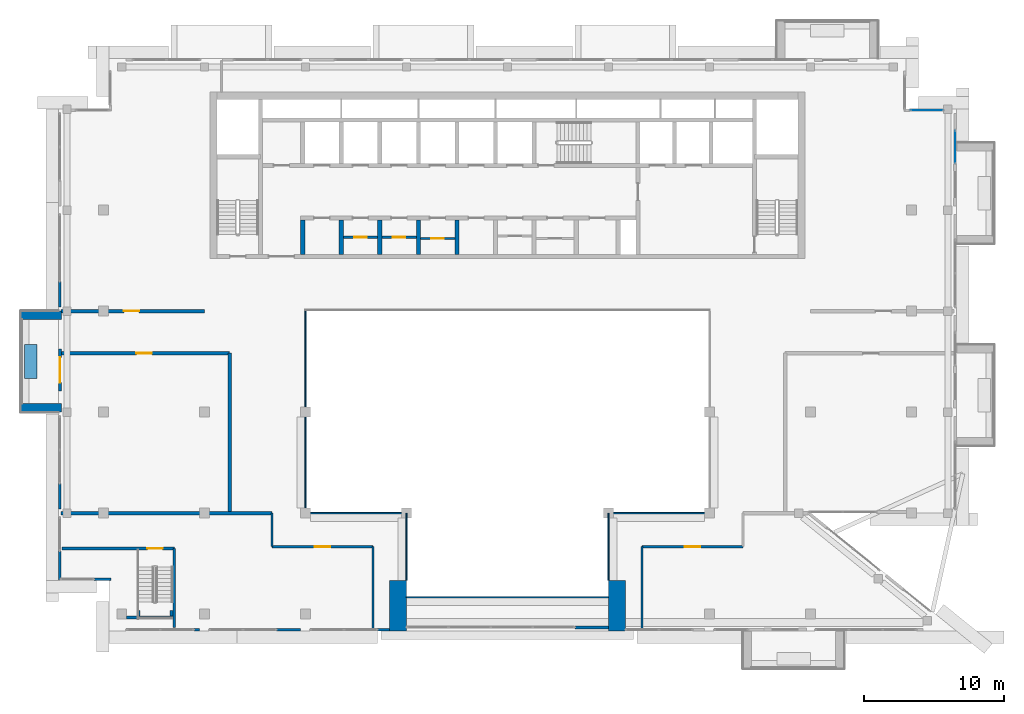
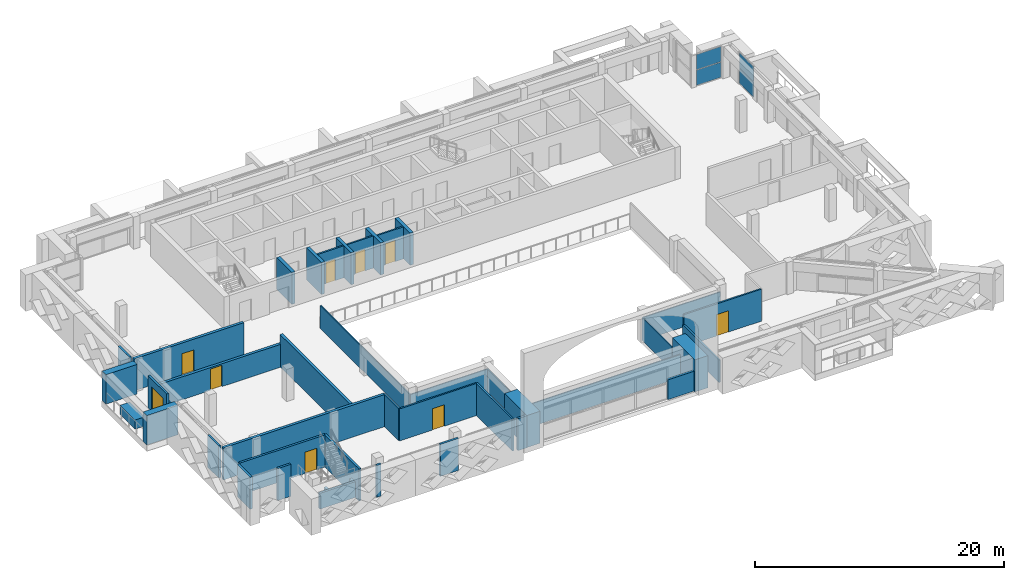
# One storey, part 12 of 22: 42 walls, 9 doors, 4 plates, 9 openings, 2 elements without a shape of their own.
"""IFC4 building model written with IfcOpenShell, lengths in metres."""

from ifc_helpers import new_model, si_unit, direction, frame, frame_2d, origin, origin_2d, place, context, subcontext, project, spatial, rectangle, extrude, source, transform, mapped, material, layer, layer_set, type_object, element, fill, aggregate, save


model = new_model("IFC4")

# Units and contexts
model_context = context("Model", 3, precision=1e-05, world=origin(), true_north=direction((0.0, 1.0)))
body_context = subcontext(model_context, "Body", "Model", "MODEL_VIEW")
ifc_project = project(units=[si_unit("LENGTHUNIT", "METRE"), si_unit("AREAUNIT", "SQUARE_METRE"), si_unit("VOLUMEUNIT", "CUBIC_METRE"), si_unit("PLANEANGLEUNIT", "RADIAN"), si_unit("MASSUNIT", "GRAM", prefix="KILO")], contexts=[model_context])

# Site, building, storey
site_placement = place(None, origin())
site = spatial("IfcSite", under=ifc_project, at=site_placement, CompositionType="ELEMENT")
building_placement = place(site_placement, origin())
building = spatial("IfcBuilding", under=site, at=building_placement, Name="Saffron Iwan Residences", CompositionType="ELEMENT")
storey_placement = place(building_placement, frame((0.0, 0.0, 271.0)))
storey = spatial("IfcBuildingStorey", under=building, at=storey_placement, Name="L73", CompositionType="ELEMENT", Elevation=271.0)

# Curtain wall, plates
ifc_material_1 = material(Name="Clear glass, laminated double glazed", Category="glass")
ifc_layer_1 = layer(ifc_material_1, 0.14990234375)
ifc_layer_set_1 = layer_set([ifc_layer_1], Name="Clear glass, laminated double glazed")
curtain_wall_type = type_object("IfcCurtainWallType", Name="CW-E SKY CLUB GLAZING", PredefinedType="NOTDEFINED", material=ifc_layer_set_1)
curtain_wall_1_placement = place(storey_placement, origin())
curtain_wall_1 = element("IfcCurtainWall", 1, at=curtain_wall_1_placement, inside=storey, type_object=curtain_wall_type, Name="Glazing L73 F2.3", PredefinedType="NOTDEFINED")
ifc_layer_2 = layer(ifc_material_1, 0.028076171875)
ifc_layer_set_2 = layer_set([ifc_layer_2], Name="Clear glass, laminated double glazed")
plate_type = type_object("IfcPlateType", Name="CW-E PANEL 28", PredefinedType="CURTAIN_PANEL", material=ifc_layer_set_2)
shared_shape = source(origin(), body_context, "Body", "SweptSolid", [
    extrude(rectangle(XDim=2.280029296875, YDim=0.028076171875, at=origin_2d()), origin(), (0.0, 0.0, 1.0), 1.485107421875),
])
plate_1_placement = place(storey_placement, frame((82.320068359375, 74.10009765625, 0.06005859375), z_axis=(0.0, 0.0, 1.0), x_axis=(0.0, 1.0, 0.0)))
plate_1 = element("IfcPlate", 2, at=plate_1_placement, type_object=plate_type, Name="CW-E panel 1.1", PredefinedType="CURTAIN_PANEL", context=body_context, shape_type="MappedRepresentation", body=[
    mapped(shared_shape, transform((0.0, 0.0, 0.0))),
])
plate_2_placement = place(storey_placement, frame((82.320068359375, 74.10009765625, 1.60498046875), z_axis=(0.0, 0.0, 1.0), x_axis=(0.0, 1.0, 0.0)))
plate_2 = element("IfcPlate", 3, at=plate_2_placement, type_object=plate_type, Name="CW-E panel 1.2", PredefinedType="CURTAIN_PANEL", context=body_context, shape_type="MappedRepresentation", body=[
    mapped(shared_shape, transform((0.0, 0.0, 0.0))),
])
aggregate(curtain_wall_1, [plate_1, plate_2])

curtain_wall_2_placement = place(storey_placement, origin())
curtain_wall_2 = element("IfcCurtainWall", 4, at=curtain_wall_2_placement, inside=storey, type_object=curtain_wall_type, Name="Glazing L73 F3.0", PredefinedType="NOTDEFINED")
plate_3_placement = place(storey_placement, frame((80.300048828125, 76.719970703125, 0.06005859375), z_axis=(0.0, 0.0, 1.0), x_axis=(-1.0, 0.0, 0.0)))
plate_3 = element("IfcPlate", 5, at=plate_3_placement, type_object=plate_type, Name="CW-E panel 1.1", PredefinedType="CURTAIN_PANEL", context=body_context, shape_type="MappedRepresentation", body=[
    mapped(shared_shape, transform((0.0, 0.0, 0.0))),
])
plate_4_placement = place(storey_placement, frame((80.300048828125, 76.719970703125, 1.60498046875), z_axis=(0.0, 0.0, 1.0), x_axis=(-1.0, 0.0, 0.0)))
plate_4 = element("IfcPlate", 6, at=plate_4_placement, type_object=plate_type, Name="CW-E panel 1.2", PredefinedType="CURTAIN_PANEL", context=body_context, shape_type="MappedRepresentation", body=[
    mapped(shared_shape, transform((0.0, 0.0, 0.0))),
])
aggregate(curtain_wall_2, [plate_3, plate_4])

# Walls
ifc_material_2 = material(Name="Concrete C50/60 white painted", Category="concrete")
ifc_layer_3 = layer(ifc_material_2, 0.60009765625)
ifc_layer_set_3 = layer_set([ifc_layer_3], Name="Concrete C50/60 white painted")
wall_type_1 = type_object("IfcWallType", Name="BALCONY FIN 600", PredefinedType="SOLIDWALL", material=ifc_layer_set_3)
for number, where, z_axis, x_axis, name in (
    (7, (18.60009765625, 62.10009765625, 0.0), (0.0, 0.0, 1.0), (-1.0, 0.0, 0.0), "Balcony fin L73 F8-0a"),
    (8, (18.60009765625, 55.5, 0.0), (0.0, 0.0, 1.0), (-1.0, 0.0, 0.0), "Balcony fin L73 F8-0b"),
):
    element("IfcWall", number, at=place(storey_placement, frame(where, z_axis=z_axis, x_axis=x_axis)), inside=storey, type_object=wall_type_1, Name=name, PredefinedType="SOLIDWALL", context=body_context, shape_type="SweptSolid", body=[
        extrude(rectangle(XDim=2.900146484375, YDim=0.60009765625, at=frame_2d((1.4501953125, 0.0))), origin(), (0.0, 0.0, 1.0), 2.90087890625),
    ])
ifc_material_3 = material(Name="Concrete C35/45 white painted", Category="concrete")
ifc_layer_4 = layer(ifc_material_3, 0.14990234375)
ifc_layer_set_4 = layer_set([ifc_layer_4], Name="Concrete C35/45 white painted")
wall_type_2 = type_object("IfcWallType", Name="BALCONY PLANTER", PredefinedType="SOLIDWALL", material=ifc_layer_set_4)
wall_1_placement = place(storey_placement, frame((16.425048828125, 60.0, 0.0), z_axis=(0.0, 0.0, 1.0), x_axis=(0.0, -1.0, 0.0)))
element("IfcWall", 9, at=wall_1_placement, inside=storey, type_object=wall_type_2, Name="PLANTER L73 F8-0", PredefinedType="SOLIDWALL", context=body_context, shape_type="SweptSolid", body=[
    extrude(rectangle(XDim=2.39990234375, YDim=0.89990234375, at=frame_2d((1.199951171875, 0.0))), origin(), (0.0, 0.0, 1.0), 0.89990234375),
])

# Wall, opening, door
ifc_material_4 = material(Name="Concrete blockwork", Category="masonry")
ifc_layer_5 = layer(ifc_material_4, 0.14990234375)
ifc_layer_set_5 = layer_set([ifc_layer_5], Name="Concrete blockwork")
wall_type_3 = type_object("IfcWallType", Name="Blockwork partition 150", PredefinedType="PARTITIONING", material=ifc_layer_set_5)
wall_2_placement = place(storey_placement, frame((33.60009765625, 45.60009765625, 0.0), z_axis=(0.0, 0.0, 1.0), x_axis=(1.0, 0.0, 0.0)))
wall_2 = element("IfcWall", 10, at=wall_2_placement, inside=storey, type_object=wall_type_3, Name="W-L73-003", PredefinedType="PARTITIONING", context=body_context, shape_type="SweptSolid", body=[
    extrude(rectangle(XDim=7.199951171875, YDim=0.14990234375, at=frame_2d((3.60009765625, 0.0))), origin(), (0.0, 0.0, 1.0), 3.14990234375),
])
opening_1_placement = place(wall_2_placement, frame((3.050048828125, 0.0, 0.0)))
opening_1 = element("IfcOpeningElement", 11, at=opening_1_placement, cuts=wall_2, Name="Opening L73.01", PredefinedType="OPENING", context=body_context, shape_type="SweptSolid", body=[
    extrude(rectangle(XDim=1.10009765625, YDim=2.10009765625, at=frame_2d((0.550048828125, 1.050048828125))), frame((0.0, 0.0849609375, 0.0), z_axis=(0.0, -1.0, 0.0), x_axis=(1.0, 0.0, 0.0)), (0.0, 0.0, 1.0), 0.169921875),
])
ifc_material_5 = material(Name="Timber", Category="wood")
door_type_1 = type_object("IfcDoorType", Name="Door 1100x2100", OperationType="NOTDEFINED", PredefinedType="DOOR", material=ifc_material_5)
door_1_placement = place(opening_1_placement, origin())
door_1 = element("IfcDoor", 12, at=door_1_placement, inside=storey, type_object=door_type_1, Name="D-L73-001", OperationType="SINGLE_SWING_RIGHT", OverallHeight=2.10009765625, OverallWidth=1.10009765625, PredefinedType="DOOR", context=body_context, shape_type="SweptSolid", body=[
    extrude(rectangle(XDim=1.10009765625, YDim=2.10009765625, at=frame_2d((0.550048828125, 1.050048828125))), frame((0.0, 0.02490234375, 0.0), z_axis=(0.0, -1.0, 0.0), x_axis=(1.0, 0.0, 0.0)), (0.0, 0.0, 1.0), 0.050048828125),
])
fill(opening_1, door_1)

wall_3_placement = place(storey_placement, frame((60.0, 45.60009765625, 0.0), z_axis=(0.0, 0.0, 1.0), x_axis=(1.0, 0.0, 0.0)))
wall_3 = element("IfcWall", 13, at=wall_3_placement, inside=storey, type_object=wall_type_3, Name="W-L73-004", PredefinedType="PARTITIONING", context=body_context, shape_type="SweptSolid", body=[
    extrude(rectangle(XDim=7.199951171875, YDim=0.14990234375, at=frame_2d((3.60009765625, 0.0))), origin(), (0.0, 0.0, 1.0), 3.14990234375),
])
opening_2_placement = place(wall_3_placement, frame((3.050048828125, 0.0, 0.0)))
opening_2 = element("IfcOpeningElement", 14, at=opening_2_placement, cuts=wall_3, Name="Opening L73.04", PredefinedType="OPENING", context=body_context, shape_type="SweptSolid", body=[
    extrude(rectangle(XDim=1.10009765625, YDim=2.10009765625, at=frame_2d((0.550048828125, 1.050048828125))), frame((0.0, 0.0849609375, 0.0), z_axis=(0.0, -1.0, 0.0), x_axis=(1.0, 0.0, 0.0)), (0.0, 0.0, 1.0), 0.169921875),
])
door_2_placement = place(opening_2_placement, origin())
door_2 = element("IfcDoor", 15, at=door_2_placement, inside=storey, type_object=door_type_1, Name="D-L73-004", OperationType="SINGLE_SWING_RIGHT", OverallHeight=2.10009765625, OverallWidth=1.10009765625, PredefinedType="DOOR", context=body_context, shape_type="SweptSolid", body=[
    extrude(rectangle(XDim=1.10009765625, YDim=2.10009765625, at=frame_2d((0.550048828125, 1.050048828125))), frame((0.0, 0.02490234375, 0.0), z_axis=(0.0, -1.0, 0.0), x_axis=(1.0, 0.0, 0.0)), (0.0, 0.0, 1.0), 0.050048828125),
])
fill(opening_2, door_2)

# Walls
wall_4_placement = place(storey_placement, frame((33.60009765625, 45.60009765625, 0.0), z_axis=(0.0, 0.0, 1.0), x_axis=(0.0, 1.0, 0.0)))
element("IfcWall", 16, at=wall_4_placement, inside=storey, type_object=wall_type_3, Name="W-L73-016", PredefinedType="PARTITIONING", context=body_context, shape_type="SweptSolid", body=[
    extrude(rectangle(XDim=2.39990234375, YDim=0.14990234375, at=frame_2d((1.199951171875, 0.0))), origin(), (0.0, 0.0, 1.0), 3.14990234375),
])
wall_5_placement = place(storey_placement, frame((40.800048828125, 39.77001953125, 0.0), z_axis=(0.0, 0.0, 1.0), x_axis=(0.0, 1.0, 0.0)))
element("IfcWall", 17, at=wall_5_placement, inside=storey, type_object=wall_type_3, Name="W-L73-018", PredefinedType="PARTITIONING", context=body_context, shape_type="SweptSolid", body=[
    extrude(rectangle(XDim=5.830078125, YDim=0.14990234375, at=frame_2d((2.9150390625, 0.0))), origin(), (0.0, 0.0, 1.0), 3.14990234375),
])
wall_6_placement = place(storey_placement, frame((60.0, 39.77001953125, 0.0), z_axis=(0.0, 0.0, 1.0), x_axis=(0.0, 1.0, 0.0)))
element("IfcWall", 18, at=wall_6_placement, inside=storey, type_object=wall_type_3, Name="W-L73-021", PredefinedType="PARTITIONING", context=body_context, shape_type="SweptSolid", body=[
    extrude(rectangle(XDim=5.830078125, YDim=0.14990234375, at=frame_2d((2.9150390625, 0.0))), origin(), (0.0, 0.0, 1.0), 2.199951171875),
])

# Wall, opening, door
ifc_material_6 = material(Name="Fire-rated plasterboard partition")
ifc_layer_6 = layer(ifc_material_6, 0.14990234375)
ifc_layer_set_6 = layer_set([ifc_layer_6], Name="Fire-rated plasterboard partition")
wall_type_4 = type_object("IfcWallType", Name="Core partition 150", PredefinedType="PARTITIONING", material=ifc_layer_set_6)
wall_7_placement = place(storey_placement, frame((38.699951171875, 67.66259765625, 0.0), z_axis=(0.0, 0.0, 1.0), x_axis=(1.0, 0.0, 0.0)))
wall_7 = element("IfcWall", 19, at=wall_7_placement, inside=storey, type_object=wall_type_4, Name="Core partition P01", PredefinedType="PARTITIONING", context=body_context, shape_type="SweptSolid", body=[
    extrude(rectangle(XDim=2.449951171875, YDim=0.14990234375, at=frame_2d((1.22509765625, 0.0))), origin(), (0.0, 0.0, 1.0), 3.14990234375),
])
opening_3_placement = place(wall_7_placement, frame((0.77490234375, 0.0, 0.0)))
opening_3 = element("IfcOpeningElement", 20, at=opening_3_placement, cuts=wall_7, Name="Opening SB", PredefinedType="OPENING", context=body_context, shape_type="SweptSolid", body=[
    extrude(rectangle(XDim=0.89990234375, YDim=2.10009765625, at=frame_2d((0.449951171875, 1.050048828125))), frame((0.0, 0.0849609375, 0.0), z_axis=(0.0, -1.0, 0.0), x_axis=(1.0, 0.0, 0.0)), (0.0, 0.0, 1.0), 0.169921875),
])
ifc_material_7 = material(Name="Steel fire door", Category="steel")
door_type_2 = type_object("IfcDoorType", Name="Store door 900", OperationType="NOTDEFINED", PredefinedType="DOOR", material=ifc_material_7)
door_3_placement = place(opening_3_placement, origin())
door_3 = element("IfcDoor", 21, at=door_3_placement, inside=storey, type_object=door_type_2, Name="Door Records store", OperationType="SINGLE_SWING_LEFT", OverallHeight=2.10009765625, OverallWidth=0.89990234375, PredefinedType="DOOR", context=body_context, shape_type="SweptSolid", body=[
    extrude(rectangle(XDim=0.89990234375, YDim=2.10009765625, at=frame_2d((0.449951171875, 1.050048828125))), frame((0.0, 0.02490234375, 0.0), z_axis=(0.0, -1.0, 0.0), x_axis=(1.0, 0.0, 0.0)), (0.0, 0.0, 1.0), 0.050048828125),
])
fill(opening_3, door_3)

wall_8_placement = place(storey_placement, frame((41.449951171875, 67.66259765625, 0.0), z_axis=(0.0, 0.0, 1.0), x_axis=(1.0, 0.0, 0.0)))
wall_8 = element("IfcWall", 22, at=wall_8_placement, inside=storey, type_object=wall_type_4, Name="Core partition P02", PredefinedType="PARTITIONING", context=body_context, shape_type="SweptSolid", body=[
    extrude(rectangle(XDim=2.449951171875, YDim=0.14990234375, at=frame_2d((1.22509765625, 0.0))), origin(), (0.0, 0.0, 1.0), 3.14990234375),
])
opening_4_placement = place(wall_8_placement, frame((0.77490234375, 0.0, 0.0)))
opening_4 = element("IfcOpeningElement", 23, at=opening_4_placement, cuts=wall_8, Name="Opening SB", PredefinedType="OPENING", context=body_context, shape_type="SweptSolid", body=[
    extrude(rectangle(XDim=0.89990234375, YDim=2.10009765625, at=frame_2d((0.449951171875, 1.050048828125))), frame((0.0, 0.0849609375, 0.0), z_axis=(0.0, -1.0, 0.0), x_axis=(1.0, 0.0, 0.0)), (0.0, 0.0, 1.0), 0.169921875),
])
door_4_placement = place(opening_4_placement, origin())
door_4 = element("IfcDoor", 24, at=door_4_placement, inside=storey, type_object=door_type_2, Name="Door Stationery store", OperationType="SINGLE_SWING_RIGHT", OverallHeight=2.10009765625, OverallWidth=0.89990234375, PredefinedType="DOOR", context=body_context, shape_type="SweptSolid", body=[
    extrude(rectangle(XDim=0.89990234375, YDim=2.10009765625, at=frame_2d((0.449951171875, 1.050048828125))), frame((0.0, 0.02490234375, 0.0), z_axis=(0.0, -1.0, 0.0), x_axis=(1.0, 0.0, 0.0)), (0.0, 0.0, 1.0), 0.050048828125),
])
fill(opening_4, door_4)

wall_9_placement = place(storey_placement, frame((44.199951171875, 67.5654296875, 0.0), z_axis=(0.0, 0.0, 1.0), x_axis=(1.0, 0.0, 0.0)))
wall_9 = element("IfcWall", 25, at=wall_9_placement, inside=storey, type_object=wall_type_4, Name="Core partition P03", PredefinedType="PARTITIONING", context=body_context, shape_type="SweptSolid", body=[
    extrude(rectangle(XDim=2.449951171875, YDim=0.14990234375, at=frame_2d((1.22509765625, 0.0))), origin(), (0.0, 0.0, 1.0), 3.14990234375),
])
opening_5_placement = place(wall_9_placement, frame((0.77490234375, 0.0, 0.0)))
opening_5 = element("IfcOpeningElement", 26, at=opening_5_placement, cuts=wall_9, Name="Opening SB", PredefinedType="OPENING", context=body_context, shape_type="SweptSolid", body=[
    extrude(rectangle(XDim=0.89990234375, YDim=2.10009765625, at=frame_2d((0.449951171875, 1.050048828125))), frame((0.0, 0.0849609375, 0.0), z_axis=(0.0, -1.0, 0.0), x_axis=(1.0, 0.0, 0.0)), (0.0, 0.0, 1.0), 0.169921875),
])
door_5_placement = place(opening_5_placement, origin())
door_5 = element("IfcDoor", 27, at=door_5_placement, inside=storey, type_object=door_type_2, Name="Door Tool store", OperationType="SINGLE_SWING_LEFT", OverallHeight=2.10009765625, OverallWidth=0.89990234375, PredefinedType="DOOR", context=body_context, shape_type="SweptSolid", body=[
    extrude(rectangle(XDim=0.89990234375, YDim=2.10009765625, at=frame_2d((0.449951171875, 1.050048828125))), frame((0.0, 0.02490234375, 0.0), z_axis=(0.0, -1.0, 0.0), x_axis=(1.0, 0.0, 0.0)), (0.0, 0.0, 1.0), 0.050048828125),
])
fill(opening_5, door_5)

ifc_material_8 = material(Name="Concrete C40/50", Category="concrete")
ifc_layer_7 = layer(ifc_material_8, 0.199951171875)
ifc_layer_set_7 = layer_set([ifc_layer_7], Name="Concrete C40/50")
wall_type_5 = type_object("IfcWallType", Name="EXTERNAL WALL 200", PredefinedType="SOLIDWALL", material=ifc_layer_set_7)
wall_10_placement = place(storey_placement, frame((18.5, 59.699951171875, 0.0), z_axis=(0.0, 0.0, 1.0), x_axis=(0.0, -1.0, 0.0)))
wall_10 = element("IfcWall", 28, at=wall_10_placement, inside=storey, type_object=wall_type_5, Name="External wall L73 F8.D0", PredefinedType="SOLIDWALL", context=body_context, shape_type="SweptSolid", body=[
    extrude(rectangle(XDim=3.0, YDim=0.199951171875, at=frame_2d((1.5, 0.0))), origin(), (0.0, 0.0, 1.0), 3.14990234375),
])
opening_6_placement = place(wall_10_placement, frame((0.60009765625, 0.0, 0.0)))
opening_6 = element("IfcOpeningElement", 29, at=opening_6_placement, cuts=wall_10, Name="Opening BD1", PredefinedType="OPENING", context=body_context, shape_type="SweptSolid", body=[
    extrude(rectangle(XDim=1.800048828125, YDim=2.39990234375, at=frame_2d((0.89990234375, 1.199951171875))), frame((0.0, 0.10986328125, 0.0), z_axis=(0.0, -1.0, 0.0), x_axis=(1.0, 0.0, 0.0)), (0.0, 0.0, 1.0), 0.219970703125),
])
door_type_3 = type_object("IfcDoorType", Name="BALCONY DOOR 1800 x 2400", OperationType="DOUBLE_DOOR_SLIDING", PredefinedType="DOOR", material=ifc_material_1)
door_6_placement = place(opening_6_placement, origin())
door_6 = element("IfcDoor", 30, at=door_6_placement, inside=storey, type_object=door_type_3, Name="Terrace door L73 F8.0", OperationType="DOUBLE_DOOR_SLIDING", OverallHeight=2.39990234375, OverallWidth=1.800048828125, PredefinedType="DOOR", context=body_context, shape_type="SweptSolid", body=[
    extrude(rectangle(XDim=1.800048828125, YDim=2.39990234375, at=frame_2d((0.89990234375, 1.199951171875))), frame((0.0, 0.02490234375, 0.0), z_axis=(0.0, -1.0, 0.0), x_axis=(1.0, 0.0, 0.0)), (0.0, 0.0, 1.0), 0.050048828125),
])
fill(opening_6, door_6)

# Walls
for number, where, z_axis, x_axis, name in (
    (31, (18.47998046875, 64.5, 0.0), (0.0, 0.0, 1.0), (0.0, -1.0, 0.0), "External wall infill CWE-L73-F8-1"),
    (32, (18.47998046875, 50.10009765625, 0.0), (0.0, 0.0, 1.0), (0.0, -1.0, 0.0), "External wall infill CWE-L73-F8-3"),
):
    element("IfcWall", number, at=place(storey_placement, frame(where, z_axis=z_axis, x_axis=x_axis)), inside=storey, type_object=wall_type_5, Name=name, PredefinedType="SOLIDWALL", context=body_context, shape_type="SweptSolid", body=[
        extrude(rectangle(XDim=1.800048828125, YDim=0.199951171875, at=frame_2d((0.89990234375, 0.0))), origin(), (0.0, 0.0, 1.0), 3.14990234375),
    ])
wall_11_placement = place(storey_placement, frame((18.47998046875, 45.300048828125, 0.0), z_axis=(0.0, 0.0, 1.0), x_axis=(0.0, -1.0, 0.0)))
element("IfcWall", 33, at=wall_11_placement, inside=storey, type_object=wall_type_5, Name="External wall infill CWE-L73-F8-4", PredefinedType="SOLIDWALL", context=body_context, shape_type="SweptSolid", body=[
    extrude(rectangle(XDim=2.070068359375, YDim=0.199951171875, at=frame_2d((1.03515625, 0.0))), origin(), (0.0, 0.0, 1.0), 3.14990234375),
])
wall_12_placement = place(storey_placement, frame((20.929931640625, 43.280029296875, 0.0), z_axis=(0.0, 0.0, 1.0), x_axis=(1.0, 0.0, 0.0)))
element("IfcWall", 34, at=wall_12_placement, inside=storey, type_object=wall_type_5, Name="External wall infill CWE-L73-F9-0", PredefinedType="SOLIDWALL", context=body_context, shape_type="SweptSolid", body=[
    extrude(rectangle(XDim=1.199951171875, YDim=0.199951171875, at=frame_2d((0.60009765625, 0.0))), origin(), (0.0, 0.0, 1.0), 3.14990234375),
])
wall_13_placement = place(storey_placement, frame((28.050048828125, 39.679931640625, 0.0), z_axis=(0.0, 0.0, 1.0), x_axis=(1.0, 0.0, 0.0)))
element("IfcWall", 35, at=wall_13_placement, inside=storey, type_object=wall_type_5, Name="External wall infill CWE-L73-F11-0", PredefinedType="SOLIDWALL", context=body_context, shape_type="SweptSolid", body=[
    extrude(rectangle(XDim=0.39990234375, YDim=0.199951171875, at=frame_2d((0.199951171875, 0.0))), origin(), (0.0, 0.0, 1.0), 3.14990234375),
])
wall_14_placement = place(storey_placement, frame((33.949951171875, 39.679931640625, 0.0), z_axis=(0.0, 0.0, 1.0), x_axis=(1.0, 0.0, 0.0)))
element("IfcWall", 36, at=wall_14_placement, inside=storey, type_object=wall_type_5, Name="External wall infill CWE-L73-F11-1", PredefinedType="SOLIDWALL", context=body_context, shape_type="SweptSolid", body=[
    extrude(rectangle(XDim=1.699951171875, YDim=0.199951171875, at=frame_2d((0.85009765625, 0.0))), origin(), (0.0, 0.0, 1.0), 3.14990234375),
])
wall_15_placement = place(storey_placement, frame((41.14990234375, 39.679931640625, 0.0), z_axis=(0.0, 0.0, 1.0), x_axis=(1.0, 0.0, 0.0)))
element("IfcWall", 37, at=wall_15_placement, inside=storey, type_object=wall_type_5, Name="External wall infill CWE-L73-F11-2", PredefinedType="SOLIDWALL", context=body_context, shape_type="SweptSolid", body=[
    extrude(rectangle(XDim=0.85009765625, YDim=0.199951171875, at=frame_2d((0.425048828125, 0.0))), origin(), (0.0, 0.0, 1.0), 3.14990234375),
])
wall_16_placement = place(storey_placement, frame((55.199951171875, 39.85009765625, 0.0), z_axis=(0.0, 0.0, 1.0), x_axis=(1.0, 0.0, 0.0)))
element("IfcWall", 38, at=wall_16_placement, inside=storey, type_object=wall_type_5, Name="External wall infill CWB-L73-0", PredefinedType="SOLIDWALL", context=body_context, shape_type="SweptSolid", body=[
    extrude(rectangle(XDim=2.400146484375, YDim=0.199951171875, at=frame_2d((1.2001953125, 0.0))), origin(), (0.0, 0.0, 1.0), 1.949951171875),
])
ifc_layer_8 = layer(ifc_material_8, 0.25)
ifc_layer_set_8 = layer_set([ifc_layer_8], Name="Concrete C40/50")
wall_type_6 = type_object("IfcWallType", Name="Fire compartment wall 250", PredefinedType="SOLIDWALL", material=ifc_layer_set_8)
wall_17_placement = place(storey_placement, frame((18.570068359375, 48.0, 0.0), z_axis=(0.0, 0.0, 1.0), x_axis=(1.0, 0.0, 0.0)))
element("IfcWall", 39, at=wall_17_placement, inside=storey, type_object=wall_type_6, Name="W-L73-007", PredefinedType="SOLIDWALL", context=body_context, shape_type="SweptSolid", body=[
    extrude(rectangle(XDim=15.030029296875, YDim=0.25, at=frame_2d((7.51513671875, 0.0))), origin(), (0.0, 0.0, 1.0), 3.14990234375),
])

# Wall, opening, door
wall_18_placement = place(storey_placement, frame((18.570068359375, 59.39990234375, 0.0), z_axis=(0.0, 0.0, 1.0), x_axis=(1.0, 0.0, 0.0)))
wall_18 = element("IfcWall", 40, at=wall_18_placement, inside=storey, type_object=wall_type_6, Name="W-L73-009", PredefinedType="SOLIDWALL", context=body_context, shape_type="SweptSolid", body=[
    extrude(rectangle(XDim=12.030029296875, YDim=0.25, at=frame_2d((6.01513671875, 0.0))), origin(), (0.0, 0.0, 1.0), 2.25),
])
opening_7_placement = place(wall_18_placement, frame((5.3798828125, 0.0, 0.0)))
opening_7 = element("IfcOpeningElement", 41, at=opening_7_placement, cuts=wall_18, Name="Opening L73.02", PredefinedType="OPENING", context=body_context, shape_type="SweptSolid", body=[
    extrude(rectangle(XDim=1.10009765625, YDim=2.10009765625, at=frame_2d((0.550048828125, 1.050048828125))), frame((0.0, 0.135009765625, 0.0), z_axis=(0.0, -1.0, 0.0), x_axis=(1.0, 0.0, 0.0)), (0.0, 0.0, 1.0), 0.27001953125),
])
door_7_placement = place(opening_7_placement, origin())
door_7 = element("IfcDoor", 42, at=door_7_placement, inside=storey, type_object=door_type_1, Name="D-L73-002", OperationType="SINGLE_SWING_LEFT", OverallHeight=2.10009765625, OverallWidth=1.10009765625, PredefinedType="DOOR", context=body_context, shape_type="SweptSolid", body=[
    extrude(rectangle(XDim=1.10009765625, YDim=2.10009765625, at=frame_2d((0.550048828125, 1.050048828125))), frame((0.0, 0.02490234375, 0.0), z_axis=(0.0, -1.0, 0.0), x_axis=(1.0, 0.0, 0.0)), (0.0, 0.0, 1.0), 0.050048828125),
])
fill(opening_7, door_7)

wall_19_placement = place(storey_placement, frame((18.570068359375, 62.39990234375, 0.0), z_axis=(0.0, 0.0, 1.0), x_axis=(1.0, 0.0, 0.0)))
wall_19 = element("IfcWall", 43, at=wall_19_placement, inside=storey, type_object=wall_type_6, Name="W-L73-011", PredefinedType="SOLIDWALL", context=body_context, shape_type="SweptSolid", body=[
    extrude(rectangle(XDim=10.22998046875, YDim=0.25, at=frame_2d((5.114990234375, 0.0))), origin(), (0.0, 0.0, 1.0), 3.14990234375),
])
opening_8_placement = place(wall_19_placement, frame((4.47998046875, 0.0, 0.0)))
opening_8 = element("IfcOpeningElement", 44, at=opening_8_placement, cuts=wall_19, Name="Opening L73.03", PredefinedType="OPENING", context=body_context, shape_type="SweptSolid", body=[
    extrude(rectangle(XDim=1.10009765625, YDim=2.10009765625, at=frame_2d((0.550048828125, 1.050048828125))), frame((0.0, 0.135009765625, 0.0), z_axis=(0.0, -1.0, 0.0), x_axis=(1.0, 0.0, 0.0)), (0.0, 0.0, 1.0), 0.27001953125),
])
door_8_placement = place(opening_8_placement, origin())
door_8 = element("IfcDoor", 45, at=door_8_placement, inside=storey, type_object=door_type_1, Name="D-L73-003", OperationType="SINGLE_SWING_LEFT", OverallHeight=2.10009765625, OverallWidth=1.10009765625, PredefinedType="DOOR", context=body_context, shape_type="SweptSolid", body=[
    extrude(rectangle(XDim=1.10009765625, YDim=2.10009765625, at=frame_2d((0.550048828125, 1.050048828125))), frame((0.0, 0.02490234375, 0.0), z_axis=(0.0, -1.0, 0.0), x_axis=(1.0, 0.0, 0.0)), (0.0, 0.0, 1.0), 0.050048828125),
])
fill(opening_8, door_8)

# Walls
wall_20_placement = place(storey_placement, frame((30.60009765625, 48.125, 0.0), z_axis=(0.0, 0.0, 1.0), x_axis=(0.0, 1.0, 0.0)))
element("IfcWall", 46, at=wall_20_placement, inside=storey, type_object=wall_type_6, Name="W-L73-015", PredefinedType="SOLIDWALL", context=body_context, shape_type="SweptSolid", body=[
    extrude(rectangle(XDim=11.27490234375, YDim=0.25, at=frame_2d((5.637451171875, 0.0))), origin(), (0.0, 0.0, 1.0), 3.14990234375),
])
ifc_material_9 = material(Name="Glass", Category="glass")
ifc_layer_9 = layer(ifc_material_9, 0.10009765625)
ifc_layer_set_9 = layer_set([ifc_layer_9], Name="Glass")
wall_type_7 = type_object("IfcWallType", Name="Glazed screen wall 100", PredefinedType="PARTITIONING", material=ifc_layer_set_9)
wall_21_placement = place(storey_placement, frame((43.201904296875, 42.0, 0.0), z_axis=(0.0, 0.0, 1.0), x_axis=(1.0, 0.0, 0.0)))
element("IfcWall", 47, at=wall_21_placement, inside=storey, type_object=wall_type_7, Name="W-L73-001", PredefinedType="PARTITIONING", context=body_context, shape_type="SweptSolid", body=[
    extrude(rectangle(XDim=14.39599609375, YDim=0.10009765625, at=frame_2d((7.197998046875, 0.0))), origin(), (0.0, 0.0, 1.0), 2.25),
])
for number, where, z_axis, x_axis, name in (
    (48, (36.0, 48.0, 0.0), (0.0, 0.0, 1.0), (1.0, 0.0, 0.0), "W-L73-005"),
    (49, (57.60009765625, 48.0, 0.0), (0.0, 0.0, 1.0), (1.0, 0.0, 0.0), "W-L73-006"),
):
    element("IfcWall", number, at=place(storey_placement, frame(where, z_axis=z_axis, x_axis=x_axis)), inside=storey, type_object=wall_type_7, Name=name, PredefinedType="PARTITIONING", context=body_context, shape_type="SweptSolid", body=[
        extrude(rectangle(XDim=7.199951171875, YDim=0.10009765625, at=frame_2d((3.60009765625, 0.0))), origin(), (0.0, 0.0, 1.0), 2.25),
    ])
wall_22_placement = place(storey_placement, frame((36.0, 48.0, 0.0), z_axis=(0.0, 0.0, 1.0), x_axis=(0.0, 1.0, 0.0)))
element("IfcWall", 50, at=wall_22_placement, inside=storey, type_object=wall_type_7, Name="W-L73-017", PredefinedType="PARTITIONING", context=body_context, shape_type="SweptSolid", body=[
    extrude(rectangle(XDim=14.39990234375, YDim=0.10009765625, at=frame_2d((7.199951171875, 0.0))), origin(), (0.0, 0.0, 1.0), 2.25),
])
for number, where, z_axis, x_axis, name in (
    (51, (43.199951171875, 43.201904296875, 0.0), (0.0, 0.0, 1.0), (0.0, 1.0, 0.0), "W-L73-019"),
    (52, (57.60009765625, 43.201904296875, 0.0), (0.0, 0.0, 1.0), (0.0, 1.0, 0.0), "W-L73-020"),
):
    element("IfcWall", number, at=place(storey_placement, frame(where, z_axis=z_axis, x_axis=x_axis)), inside=storey, type_object=wall_type_7, Name=name, PredefinedType="PARTITIONING", context=body_context, shape_type="SweptSolid", body=[
        extrude(rectangle(XDim=4.798095703125, YDim=0.10009765625, at=frame_2d((2.39892578125, 0.0))), origin(), (0.0, 0.0, 1.0), 2.25),
    ])
ifc_layer_10 = layer(ifc_material_8, 0.199951171875)
ifc_layer_set_10 = layer_set([ifc_layer_10], Name="Concrete C40/50")
wall_type_8 = type_object("IfcWallType", Name="Landing support wall, reinforced concrete 200", PredefinedType="SOLIDWALL", material=ifc_layer_set_10)
for number, where, z_axis, x_axis, name in (
    (53, (24.10009765625, 40.64990234375, 0.0), (0.0, 0.0, 1.0), (0.0, 1.0, 0.0), "CS landing support wall"),
    (54, (26.449951171875, 40.64990234375, 0.0), (0.0, 0.0, 1.0), (0.0, 1.0, 0.0), "CS landing support wall"),
):
    element("IfcWall", number, at=place(storey_placement, frame(where, z_axis=z_axis, x_axis=x_axis)), inside=storey, type_object=wall_type_8, Name=name, PredefinedType="SOLIDWALL", context=body_context, shape_type="SweptSolid", body=[
        extrude(rectangle(XDim=0.400146484375, YDim=0.199951171875, at=frame_2d((0.2001953125, 0.0))), origin(), (0.0, 0.0, 1.0), 1.550048828125),
    ])
wall_23_placement = place(storey_placement, frame((23.25, 40.550048828125, 0.0), z_axis=(0.0, 0.0, 1.0), x_axis=(1.0, 0.0, 0.0)))
element("IfcWall", 55, at=wall_23_placement, inside=storey, type_object=wall_type_8, Name="CS landing support wall", PredefinedType="SOLIDWALL", context=body_context, shape_type="SweptSolid", body=[
    extrude(rectangle(XDim=3.300048828125, YDim=0.199951171875, at=frame_2d((1.64990234375, 0.0))), origin(), (0.0, 0.0, 1.0), 1.550048828125),
])

# Wall, opening, door
ifc_layer_11 = layer(ifc_material_8, 0.199951171875)
ifc_layer_set_11 = layer_set([ifc_layer_11], Name="Concrete C40/50")
wall_type_9 = type_object("IfcWallType", Name="Reinforced concrete stair wall 200", PredefinedType="SOLIDWALL", material=ifc_layer_set_11)
wall_24_placement = place(storey_placement, frame((18.659912109375, 45.469970703125, 0.0), z_axis=(0.0, 0.0, 1.0), x_axis=(1.0, 0.0, 0.0)))
wall_24 = element("IfcWall", 56, at=wall_24_placement, inside=storey, type_object=wall_type_9, Name="W-L73-002", PredefinedType="SOLIDWALL", context=body_context, shape_type="SweptSolid", body=[
    extrude(rectangle(XDim=7.989990234375, YDim=0.199951171875, at=frame_2d((3.9951171875, 0.0))), origin(), (0.0, 0.0, 1.0), 3.14990234375),
])
opening_9_placement = place(wall_24_placement, frame((6.06494140625, 0.0, 0.0)))
opening_9 = element("IfcOpeningElement", 57, at=opening_9_placement, cuts=wall_24, Name="Opening L73.07", PredefinedType="OPENING", context=body_context, shape_type="SweptSolid", body=[
    extrude(rectangle(XDim=1.10009765625, YDim=2.10009765625, at=frame_2d((0.550048828125, 1.050048828125))), frame((0.0, 0.10986328125, 0.0), z_axis=(0.0, -1.0, 0.0), x_axis=(1.0, 0.0, 0.0)), (0.0, 0.0, 1.0), 0.219970703125),
])
ifc_material_10 = material(Name="Steel", Category="steel")
door_type_4 = type_object("IfcDoorType", Name="Fire door 1100x2100", OperationType="NOTDEFINED", PredefinedType="DOOR", material=ifc_material_10)
door_9_placement = place(opening_9_placement, origin())
door_9 = element("IfcDoor", 58, at=door_9_placement, inside=storey, type_object=door_type_4, Name="D-L73-007", OperationType="SINGLE_SWING_RIGHT", OverallHeight=2.10009765625, OverallWidth=1.10009765625, PredefinedType="DOOR", context=body_context, shape_type="SweptSolid", body=[
    extrude(rectangle(XDim=1.10009765625, YDim=2.10009765625, at=frame_2d((0.550048828125, 1.050048828125))), frame((0.0, 0.02490234375, 0.0), z_axis=(0.0, -1.0, 0.0), x_axis=(1.0, 0.0, 0.0)), (0.0, 0.0, 1.0), 0.050048828125),
])
fill(opening_9, door_9)

# Walls
wall_25_placement = place(storey_placement, frame((26.64990234375, 39.860107421875, 0.0), z_axis=(0.0, 0.0, 1.0), x_axis=(0.0, 1.0, 0.0)))
element("IfcWall", 59, at=wall_25_placement, inside=storey, type_object=wall_type_9, Name="W-L73-013", PredefinedType="SOLIDWALL", context=body_context, shape_type="SweptSolid", body=[
    extrude(rectangle(XDim=5.60986328125, YDim=0.199951171875, at=frame_2d((2.804931640625, 0.0))), origin(), (0.0, 0.0, 1.0), 3.14990234375),
])
ifc_layer_12 = layer(ifc_material_8, 0.300048828125)
ifc_layer_set_12 = layer_set([ifc_layer_12], Name="Concrete C40/50")
wall_type_10 = type_object("IfcWallType", Name="WALL CORE 300 C40/50 3150 HIGH", PredefinedType="SHEAR", material=ifc_layer_set_12)
for number, where, z_axis, x_axis, name in (
    (60, (35.800048828125, 66.449951171875, 0.0), (0.0, 0.0, 1.0), (0.0, 1.0, 0.0), "Core wall"),
    (61, (38.550048828125, 66.449951171875, 0.0), (0.0, 0.0, 1.0), (0.0, 1.0, 0.0), "Core wall"),
    (62, (41.300048828125, 66.449951171875, 0.0), (0.0, 0.0, 1.0), (0.0, 1.0, 0.0), "Core wall"),
    (63, (44.050048828125, 66.449951171875, 0.0), (0.0, 0.0, 1.0), (0.0, 1.0, 0.0), "Core wall"),
    (64, (46.800048828125, 66.449951171875, 0.0), (0.0, 0.0, 1.0), (0.0, 1.0, 0.0), "Core wall"),
):
    element("IfcWall", number, at=place(storey_placement, frame(where, z_axis=z_axis, x_axis=x_axis)), inside=storey, type_object=wall_type_10, Name=name, PredefinedType="SHEAR", context=body_context, shape_type="SweptSolid", body=[
        extrude(rectangle(XDim=2.425048828125, YDim=0.300048828125, at=frame_2d((1.21240234375, 0.0))), origin(), (0.0, 0.0, 1.0), 3.14990234375),
    ])
ifc_layer_13 = layer(ifc_material_8, 1.199951171875)
ifc_layer_set_13 = layer_set([ifc_layer_13], Name="Concrete C40/50")
wall_type_11 = type_object("IfcWallType", Name="WALL IWAN PIER 1200 C40/50 3150 HIGH", PredefinedType="SHEAR", material=ifc_layer_set_13)
for number, where, z_axis, x_axis, name in (
    (65, (42.60009765625, 39.60009765625, 0.0), (0.0, 0.0, 1.0), (0.0, 1.0, 0.0), "IWAN PIER"),
    (66, (58.199951171875, 39.60009765625, 0.0), (0.0, 0.0, 1.0), (0.0, 1.0, 0.0), "IWAN PIER"),
):
    element("IfcWall", number, at=place(storey_placement, frame(where, z_axis=z_axis, x_axis=x_axis)), inside=storey, type_object=wall_type_11, Name=name, PredefinedType="SHEAR", context=body_context, shape_type="SweptSolid", body=[
        extrude(rectangle(XDim=3.599853515625, YDim=1.199951171875, at=frame_2d((1.7998046875, 0.0))), origin(), (0.0, 0.0, 1.0), 3.14990234375),
    ])

save(model, "model.ifc")
